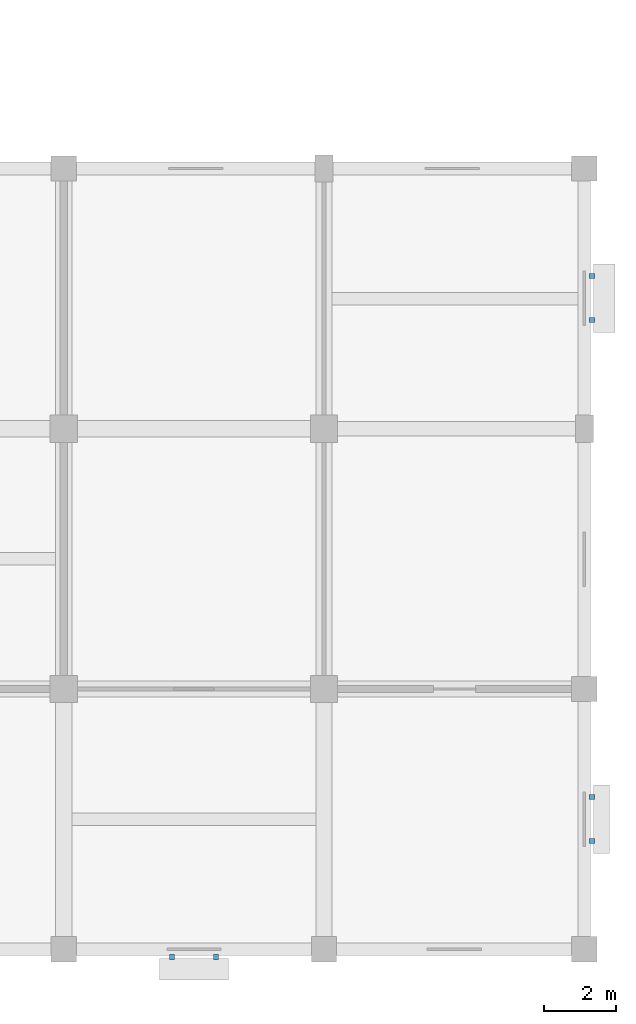
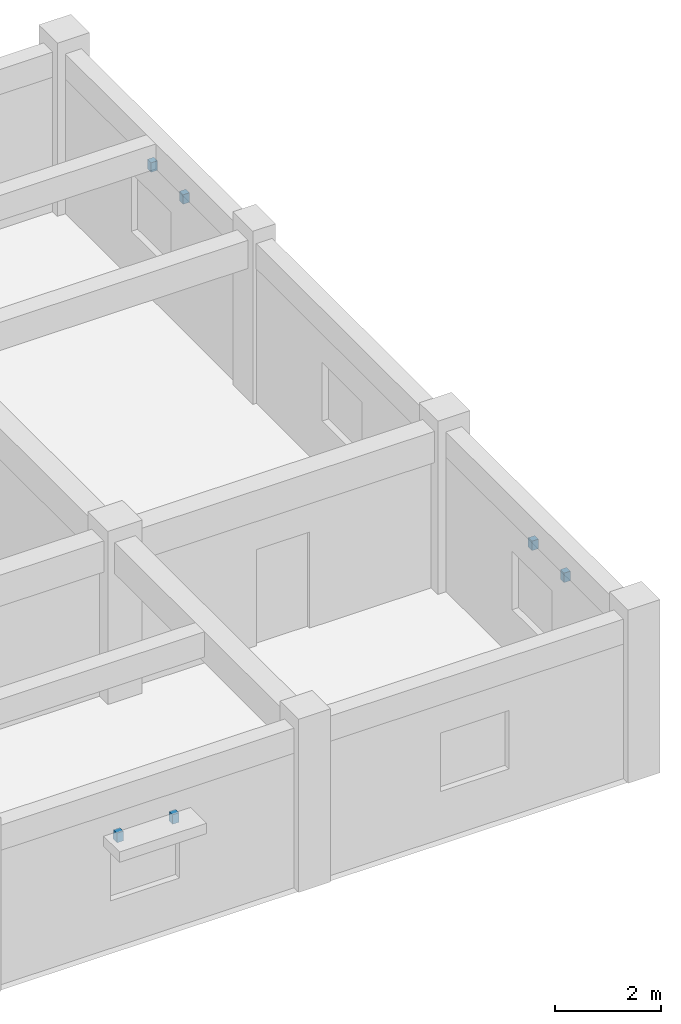
# One storey, part 24 of 25: 6 discrete accessories.
"""IFC4 building model written with IfcOpenShell, lengths in metres."""

from ifc_helpers import new_model, si_unit, direction, frame, origin, origin_2d, place, context, subcontext, project, spatial, rectangle, extrude, material, type_object, element, save


model = new_model("IFC4")

# Units and contexts
model_context = context("Model", 3, precision=1e-05, world=origin(), true_north=direction((0.0, 1.0)))
body_context = subcontext(model_context, "Body", "Model", "MODEL_VIEW")
ifc_project = project(units=[si_unit("LENGTHUNIT", "METRE"), si_unit("AREAUNIT", "SQUARE_METRE"), si_unit("VOLUMEUNIT", "CUBIC_METRE"), si_unit("PLANEANGLEUNIT", "RADIAN"), si_unit("MASSUNIT", "GRAM", prefix="KILO")], contexts=[model_context])

# Site, building, storey
site_placement = place(None, origin())
site = spatial("IfcSite", under=ifc_project, at=site_placement, CompositionType="ELEMENT")
building_placement = place(site_placement, origin())
building = spatial("IfcBuilding", under=site, at=building_placement, Name="Cendaluz Park School", CompositionType="ELEMENT")
storey_placement = place(building_placement, frame((0.0, 0.0, 18.60009765625)))
storey = spatial("IfcBuildingStorey", under=building, at=storey_placement, Name="L04", CompositionType="ELEMENT", Elevation=18.60009765625)

# Discrete accessories
ifc_material = material(Name="Steel S355", Category="steel")
discrete_accessory_type = type_object("IfcDiscreteAccessoryType", Name="BK-01", PredefinedType="BRACKET", material=ifc_material)
for number, where, z_axis, x_axis, name in (
    (1, (146.991943359375, 6.989990234375, 2.47998046875), (0.0, 0.0, 1.0), (1.0, 0.0, 0.0), "BK-L04-135"),
    (2, (148.2080078125, 6.989990234375, 2.47998046875), (0.0, 0.0, 1.0), (1.0, 0.0, 0.0), "BK-L04-136"),
    (3, (158.610107421875, 10.19189453125, 2.47998046875), (0.0, 0.0, 1.0), (0.0, 1.0, 0.0), "BK-L04-137"),
    (4, (158.610107421875, 11.407958984375, 2.47998046875), (0.0, 0.0, 1.0), (0.0, 1.0, 0.0), "BK-L04-138"),
    (5, (158.610107421875, 24.6044921875, 2.47998046875), (0.0, 0.0, 1.0), (0.0, 1.0, 0.0), "BK-L04-139"),
    (6, (158.610107421875, 25.820556640625, 2.47998046875), (0.0, 0.0, 1.0), (0.0, 1.0, 0.0), "BK-L04-140"),
):
    element("IfcDiscreteAccessory", number, at=place(storey_placement, frame(where, z_axis=z_axis, x_axis=x_axis)), inside=storey, type_object=discrete_accessory_type, Name=name, PredefinedType="BRACKET", context=body_context, shape_type="SweptSolid", body=[
        extrude(rectangle(XDim=0.139892578125, YDim=0.139892578125, at=origin_2d()), origin(), (0.0, 0.0, 1.0), 0.219970703125),
    ])

save(model, "model.ifc")
